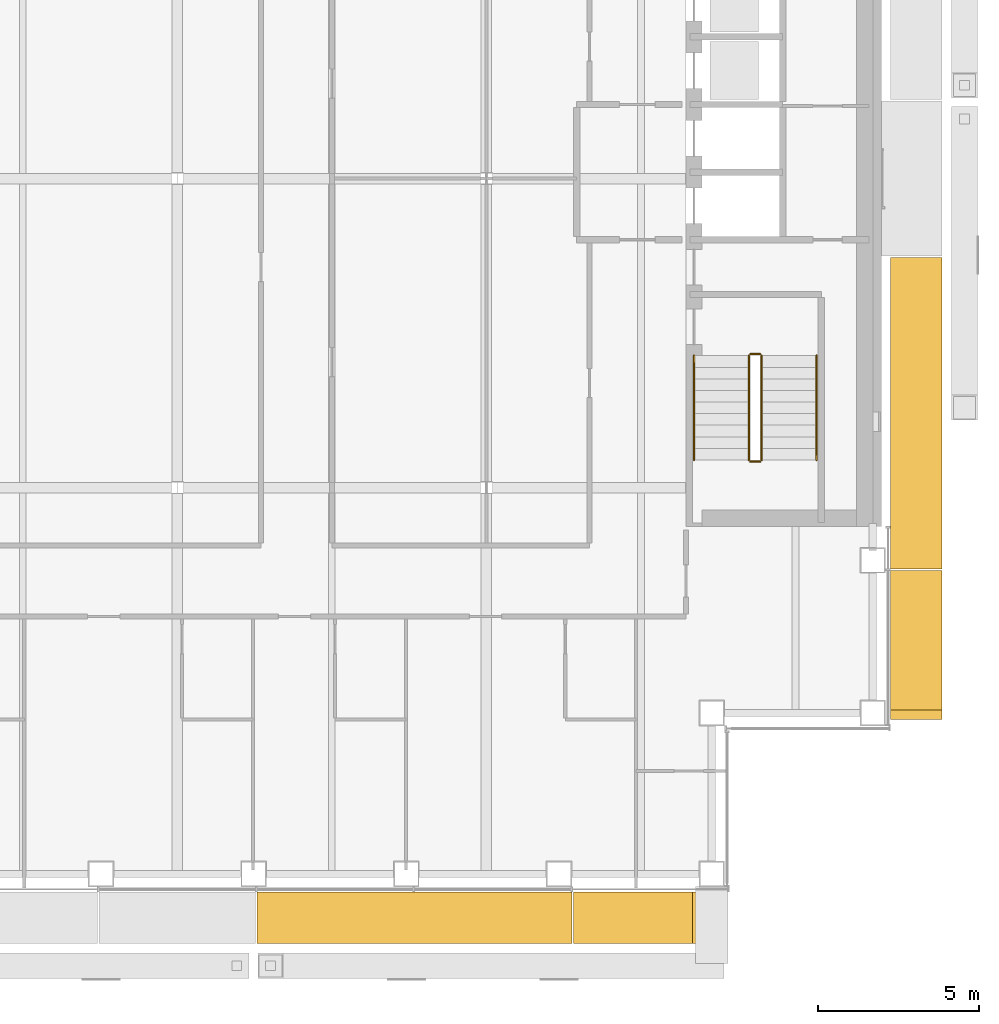
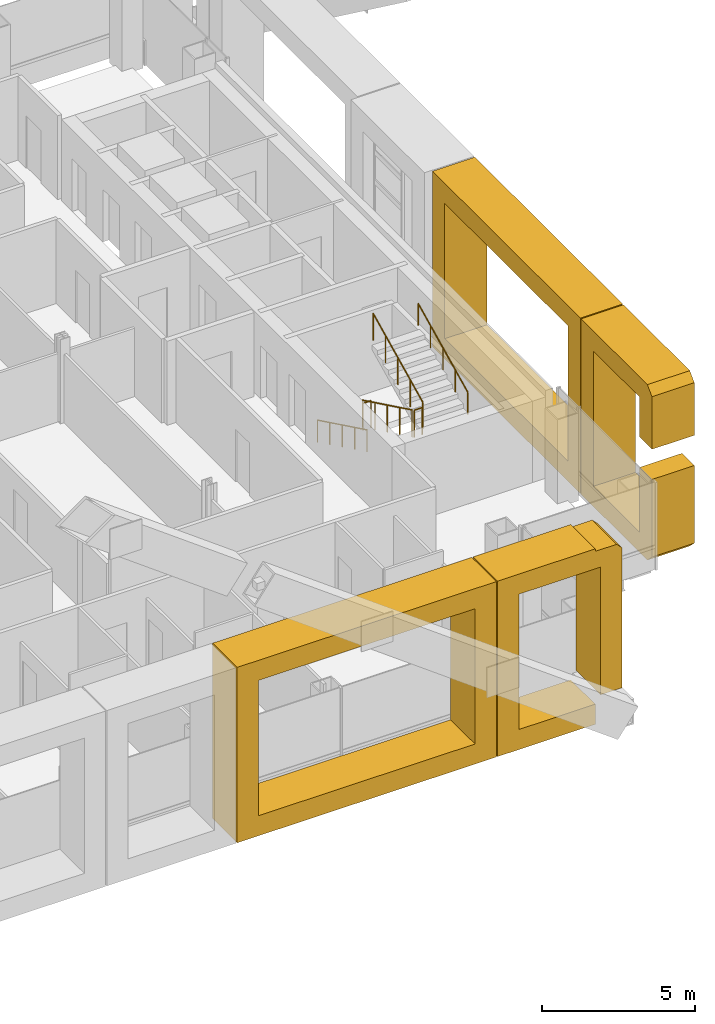
# One storey, part 19 of 22: 6 railings, 4 coverings.
"""IFC4 building model written with IfcOpenShell, lengths in metres."""

import ifcopenshell
import ifcopenshell.guid

model = None  # the IFC model being written
_history = None  # IfcOwnerHistory: only IFC2X3 demands one
_inside = {}  # id of a spatial element -> (the spatial element, [elements in it])
_under = {}  # id of a project, library or spatial element -> (it, [spatial elements below it])
_declared = {}  # id of a project -> (the project, [libraries it declares])
_typed = {}  # id of a type object -> (the type object, [elements of that type])
_made_of = {}  # id of a material, layer set ... -> (it, [elements and type objects made of it])


def new_model(schema):
    """Start an empty IFC model of exactly this schema.

    Asked for "IFC4X3", IfcOpenShell would pick the latest addendum, in which some entities
    have other attributes; the version numbers below select the first issue.
    IFC2X3 requires an IfcOwnerHistory on every rooted entity: one is made here for all.
    """
    global model, _history
    if schema == "IFC4X3":
        model = ifcopenshell.file(schema_version=(4, 3, 0, 0))
    else:
        model = ifcopenshell.file(schema=schema)
    _inside.clear()
    _under.clear()
    _declared.clear()
    _typed.clear()
    _made_of.clear()
    _history = None
    if model.schema == "IFC2X3":
        org = make("IfcOrganization", Name="unknown")
        user = make(
            "IfcPersonAndOrganization",
            ThePerson=make("IfcPerson", FamilyName="unknown"),
            TheOrganization=org,
        )
        app = make(
            "IfcApplication",
            ApplicationDeveloper=org,
            Version="unknown",
            ApplicationFullName="unknown",
            ApplicationIdentifier="unknown",
        )
        _history = make(
            "IfcOwnerHistory",
            OwningUser=user,
            OwningApplication=app,
            ChangeAction="ADDED",
            CreationDate=0,
        )
    return model


def make(cls, **values):
    """One entity of the class cls with the attributes given. An attribute that is None is left unset."""
    return model.create_entity(
        cls, **{name: value for name, value in values.items() if value is not None}
    )


def rooted(cls, **values):
    """An entity with a GlobalId (a new one), such as an element, a storey or a relation."""
    return make(cls, GlobalId=ifcopenshell.guid.new(), OwnerHistory=_history, **values)


def si_unit(unit_type, name, prefix=None):
    """IfcSIUnit, for example si_unit("LENGTHUNIT", "METRE", prefix="MILLI")."""
    return make("IfcSIUnit", UnitType=unit_type, Prefix=prefix, Name=name)


def assignment(units):
    """IfcUnitAssignment: the units of a project."""
    return None if units is None else make("IfcUnitAssignment", Units=units)


def point(xyz):
    """IfcCartesianPoint."""
    return None if xyz is None else make("IfcCartesianPoint", Coordinates=xyz)


def direction(xyz):
    """IfcDirection."""
    return None if xyz is None else make("IfcDirection", DirectionRatios=xyz)


def frame(location, z_axis=None, x_axis=None):
    """IfcAxis2Placement3D, a coordinate frame: its origin and axes. An axis left out is left unset."""
    return make(
        "IfcAxis2Placement3D",
        Location=point(location),
        Axis=direction(z_axis),
        RefDirection=direction(x_axis),
    )


def frame_2d(location, x_axis=None):
    """IfcAxis2Placement2D, a coordinate frame in the plane: its origin and x axis."""
    return make(
        "IfcAxis2Placement2D", Location=point(location), RefDirection=direction(x_axis)
    )


def origin():
    """The frame at (0, 0, 0) with its axes left unset."""
    return frame((0.0, 0.0, 0.0))


def origin_2d():
    """The frame at (0, 0) in the plane with its x axis left unset."""
    return frame_2d((0.0, 0.0))


def place(relative_to, where):
    """IfcLocalPlacement: puts the frame where relative to a parent placement (None: the world)."""
    return make(
        "IfcLocalPlacement", PlacementRelTo=relative_to, RelativePlacement=where
    )


def context(
    kind, dimensions, precision=None, world=None, true_north=None, identifier=None
):
    """IfcGeometricRepresentationContext, for example the 3D "Model" context."""
    return make(
        "IfcGeometricRepresentationContext",
        ContextIdentifier=identifier,
        ContextType=kind,
        CoordinateSpaceDimension=dimensions,
        Precision=precision,
        WorldCoordinateSystem=world,
        TrueNorth=true_north,
    )


def subcontext(parent, identifier, kind, view, scale=None):
    """IfcGeometricRepresentationSubContext, for example "Body" below "Model"."""
    return make(
        "IfcGeometricRepresentationSubContext",
        ContextIdentifier=identifier,
        ContextType=kind,
        ParentContext=parent,
        TargetScale=scale,
        TargetView=view,
    )


def project(units=None, contexts=None):
    """IfcProject with its units and contexts."""
    return rooted(
        "IfcProject",
        Name="project",
        RepresentationContexts=contexts,
        UnitsInContext=assignment(units),
    )


def spatial(cls, under=None, at=None, **own):
    """A site, building, storey or space (cls), placed at a placement, below another one or the project."""
    s = rooted(cls, ObjectPlacement=at, **own)
    if under is not None:
        _under.setdefault(under.id(), (under, []))[1].append(s)
    return s


def polyline(points):
    """IfcPolyline through the points."""
    return make("IfcPolyline", Points=[point(p) for p in points])


def profile(cls, at=None, kind="AREA", **sizes):
    """A parametric profile (cls). Its sizes go by their IFC names, for example OverallWidth=200.0."""
    return make(cls, ProfileType=kind, Position=at, **sizes)


def circle(**sizes):
    """IfcCircleProfileDef."""
    return profile("IfcCircleProfileDef", **sizes)


def outline(outer, holes=None, kind="AREA"):
    """IfcArbitraryClosedProfileDef: a profile drawn as a closed curve; with holes, ...WithVoids."""
    if holes is None:
        return make("IfcArbitraryClosedProfileDef", ProfileType=kind, OuterCurve=outer)
    return make(
        "IfcArbitraryProfileDefWithVoids",
        ProfileType=kind,
        OuterCurve=outer,
        InnerCurves=holes,
    )


def extrude(swept, where, along, depth):
    """IfcExtrudedAreaSolid: the profile swept, set in the frame where, extruded along a direction by depth."""
    return make(
        "IfcExtrudedAreaSolid",
        SweptArea=swept,
        Position=where,
        ExtrudedDirection=direction(along),
        Depth=depth,
    )


def shape(context_of_items, identifier, shape_type, items):
    """IfcShapeRepresentation: the items that make up one representation, for example the "Body"."""
    return make(
        "IfcShapeRepresentation",
        ContextOfItems=context_of_items,
        RepresentationIdentifier=identifier,
        RepresentationType=shape_type,
        Items=items,
    )


def material(Name=None, Category=None):
    """IfcMaterial."""
    return make("IfcMaterial", Name=Name, Category=Category)


def made_of(thing, what):
    """Note that an element or type object is made of a material, layer set ...; save() writes the relation."""
    if what is not None:
        _made_of.setdefault(what.id(), (what, []))[1].append(thing)
    return thing


def type_object(cls, material=None, **own):
    """A type object (cls), such as IfcWallType, which elements share."""
    return made_of(rooted(cls, **own), material)


def element(
    cls,
    number,
    at=None,
    inside=None,
    cuts=None,
    type_object=None,
    material=None,
    context=None,
    identifier="Body",
    shape_type=None,
    held_by="IfcProductDefinitionShape",
    body=None,
    shapes=None,
    **own,
):
    """One element of the class cls, such as IfcWall. Its Tag is "e" and its number.

    at: its placement. inside: the storey or other place that contains it. cuts: it is an
    opening in that element (IfcRelVoidsElement). A single representation is given by context,
    identifier, shape_type and body (its items); several are given by shapes. held_by: the class
    of the entity that holds the representations. save() writes the other relations.
    """
    e = rooted(cls, Tag="e%d" % number, ObjectPlacement=at, **own)
    if body is not None:
        shapes = [shape(context, identifier, shape_type, body)]
    if shapes is not None:
        e.Representation = make(held_by, Representations=shapes)
    if inside is not None:
        _inside.setdefault(inside.id(), (inside, []))[1].append(e)
    if cuts is not None:
        rooted(
            "IfcRelVoidsElement", RelatingBuildingElement=cuts, RelatedOpeningElement=e
        )
    if type_object is not None:
        _typed.setdefault(type_object.id(), (type_object, []))[1].append(e)
    return made_of(e, material)


def aggregate(whole, parts):
    """IfcRelAggregates: a whole, such as a stair, and the parts it consists of."""
    return rooted("IfcRelAggregates", RelatingObject=whole, RelatedObjects=parts)


def save(model, path):
    """Write the relations noted so far, then the file.

    IfcRelAggregates (storeys below a building ...), IfcRelContainedInSpatialStructure (elements
    in a storey), IfcRelDefinesByType, IfcRelAssociatesMaterial and IfcRelDeclares: one each for
    every whole, place, type object, material and project.
    """
    for whole, parts in _under.values():
        aggregate(whole, parts)
    for where, things in _inside.values():
        rooted(
            "IfcRelContainedInSpatialStructure",
            RelatedElements=things,
            RelatingStructure=where,
        )
    for kind, things in _typed.values():
        rooted("IfcRelDefinesByType", RelatedObjects=things, RelatingType=kind)
    for what, things in _made_of.values():
        rooted("IfcRelAssociatesMaterial", RelatedObjects=things, RelatingMaterial=what)
    for by, libraries in _declared.values():
        rooted("IfcRelDeclares", RelatingContext=by, RelatedDefinitions=libraries)
    model.write(path)


model = new_model("IFC4")

# Units and contexts
model_context = context("Model", 3, precision=1e-05, world=origin(), true_north=direction((0.0, 1.0)))
body_context = subcontext(model_context, "Body", "Model", "MODEL_VIEW")
ifc_project = project(units=[si_unit("LENGTHUNIT", "METRE"), si_unit("AREAUNIT", "SQUARE_METRE"), si_unit("VOLUMEUNIT", "CUBIC_METRE"), si_unit("PLANEANGLEUNIT", "RADIAN"), si_unit("MASSUNIT", "GRAM", prefix="KILO")], contexts=[model_context])

# Site, building, storey
site_placement = place(None, origin())
site = spatial("IfcSite", under=ifc_project, at=site_placement, CompositionType="ELEMENT")
building_placement = place(site_placement, origin())
building = spatial("IfcBuilding", under=site, at=building_placement, Name="Cobrizo Arcos Hotel Tower", CompositionType="ELEMENT")
storey_placement = place(building_placement, frame((0.0, 0.0, 155.0)))
storey = spatial("IfcBuildingStorey", under=building, at=storey_placement, Name="L39", CompositionType="ELEMENT", Elevation=155.0)

# Coverings
ifc_material_1 = material(Name="Aluminium 6063-T6 anodised bronze", Category="aluminium")
covering_type = type_object("IfcCoveringType", Name="FIN-F 1600", PredefinedType="CLADDING", material=ifc_material_1)
covering_1_placement = place(storey_placement, frame((22.14990234375, -16.800048828125, 0.0), z_axis=(1.0, 0.0, 0.0), x_axis=(0.0, 1.0, 0.0)))
element("IfcCovering", 1, at=covering_1_placement, inside=storey, type_object=covering_type, Name="Fin frame 206", PredefinedType="CLADDING", context=body_context, shape_type="SweptSolid", body=[
    extrude(outline(polyline([(0.0, 6.699951171875), (0.0, 4.60205078125), (0.800048828125, 4.60205078125), (0.800048828125, 6.199951171875), (3.83203125, 6.199951171875), (3.83203125, 0.800048828125), (0.800048828125, 0.800048828125), (0.800048828125, 3.39794921875), (0.0, 3.39794921875), (0.0, 0.300048828125), (0.300048828125, 0.0), (4.632080078125, 0.0), (4.632080078125, 7.0), (0.300048828125, 7.0), (0.0, 6.699951171875)])), origin(), (0.0, 0.0, 1.0), 1.60009765625),
])
covering_2_placement = place(storey_placement, frame((22.14990234375, -12.117919921875, 0.0), z_axis=(1.0, 0.0, 0.0), x_axis=(0.0, 1.0, 0.0)))
element("IfcCovering", 2, at=covering_2_placement, inside=storey, type_object=covering_type, Name="Fin frame 207", PredefinedType="CLADDING", context=body_context, shape_type="SweptSolid", body=[
    extrude(outline(polyline([(0.0, 7.0), (0.0, 0.0), (9.664306640625, 0.0), (9.664306640625, 7.0), (0.0, 7.0)]), holes=[polyline([(8.8642578125, 0.800048828125), (0.800048828125, 0.800048828125), (0.800048828125, 6.199951171875), (8.8642578125, 6.199951171875), (8.8642578125, 0.800048828125)])]), origin(), (0.0, 0.0, 1.0), 1.60009765625),
])
covering_3_placement = place(storey_placement, frame((2.482177734375, -22.14990234375, 0.0), z_axis=(0.0, -1.0, 0.0), x_axis=(1.0, 0.0, 0.0)))
element("IfcCovering", 3, at=covering_3_placement, inside=storey, type_object=covering_type, Name="Fin frame 239", PredefinedType="CLADDING", context=body_context, shape_type="SweptSolid", body=[
    extrude(outline(polyline([(0.0, 7.0), (0.0, 0.0), (9.778564453125, 0.0), (9.778564453125, 7.0), (0.0, 7.0)]), holes=[polyline([(8.978515625, 0.800048828125), (0.800048828125, 0.800048828125), (0.800048828125, 6.199951171875), (8.978515625, 6.199951171875), (8.978515625, 0.800048828125)])]), origin(), (0.0, 0.0, 1.0), 1.60009765625),
])
covering_4_placement = place(storey_placement, frame((12.310791015625, -22.14990234375, 0.0), z_axis=(0.0, -1.0, 0.0), x_axis=(1.0, 0.0, 0.0)))
element("IfcCovering", 4, at=covering_4_placement, inside=storey, type_object=covering_type, Name="Fin frame 240", PredefinedType="CLADDING", context=body_context, shape_type="SweptSolid", body=[
    extrude(outline(polyline([(0.0, 0.0), (3.687255859375, 0.0), (3.687255859375, 0.800048828125), (0.800048828125, 0.800048828125), (0.800048828125, 6.199951171875), (3.889404296875, 6.199951171875), (3.889404296875, 1.10205078125), (4.689208984375, 1.10205078125), (4.689208984375, 6.699951171875), (4.4912109375, 6.89794921875), (3.687255859375, 6.89794921875), (3.687255859375, 7.0), (0.0, 7.0), (0.0, 0.0)])), origin(), (0.0, 0.0, 1.0), 1.60009765625),
])

# Railings
ifc_material_2 = material(Name="Stainless steel railing", Category="steel")
railing_type_1 = type_object("IfcRailingType", Name="Stair guard 1100", PredefinedType="GUARDRAIL", material=ifc_material_2)
railing_1_placement = place(storey_placement, frame((17.75, -5.5, 0.175048828125)))
element("IfcRailing", 5, at=railing_1_placement, inside=storey, type_object=railing_type_1, Name="L39 ST-E stair guard 1", PredefinedType="GUARDRAIL", context=body_context, shape_type="SweptSolid", body=[
    extrude(circle(Radius=0.02392578125, at=origin_2d()), frame((0.0, 0.0, 1.076171875), z_axis=(0.0, -0.899372665325, 0.437182809435), x_axis=(1.0, 0.0, 0.0)), (0.0, 0.0, 1.0), 3.6025390625),
    extrude(circle(Radius=0.02099609375, at=origin_2d()), origin(), (0.0, 0.0, 1.0), 1.052001953125),
    extrude(circle(Radius=0.02099609375, at=origin_2d()), frame((0.0, -0.81005859375, 0.393798828125)), (0.0, 0.0, 1.0), 1.052001953125),
    extrude(circle(Radius=0.02099609375, at=origin_2d()), frame((0.0, -1.6201171875, 0.78759765625)), (0.0, 0.0, 1.0), 1.052001953125),
    extrude(circle(Radius=0.02099609375, at=origin_2d()), frame((0.0, -2.429931640625, 1.18115234375)), (0.0, 0.0, 1.0), 1.052001953125),
    extrude(circle(Radius=0.02099609375, at=origin_2d()), frame((0.0, -3.239990234375, 1.574951171875)), (0.0, 0.0, 1.0), 1.052001953125),
])
railing_2_placement = place(storey_placement, frame((17.800048828125, -8.7900390625, 1.75)))
element("IfcRailing", 6, at=railing_2_placement, inside=storey, type_object=railing_type_1, Name="L39 ST-E stair guard 2", PredefinedType="GUARDRAIL", context=body_context, shape_type="SweptSolid", body=[
    extrude(circle(Radius=0.02392578125, at=origin_2d()), frame((0.0, 0.0, 1.076171875), z_axis=(1.0, 0.0, 0.0), x_axis=(0.0, 1.0, 0.0)), (0.0, 0.0, 1.0), 0.300048828125),
    extrude(circle(Radius=0.02099609375, at=origin_2d()), origin(), (0.0, 0.0, 1.0), 1.052001953125),
    extrude(circle(Radius=0.02099609375, at=origin_2d()), frame((0.300048828125, 0.0, 0.0)), (0.0, 0.0, 1.0), 1.052001953125),
])
railing_3_placement = place(storey_placement, frame((18.14990234375, -8.739990234375, 1.925048828125)))
element("IfcRailing", 7, at=railing_3_placement, inside=storey, type_object=railing_type_1, Name="L39 ST-E stair guard 3", PredefinedType="GUARDRAIL", context=body_context, shape_type="SweptSolid", body=[
    extrude(circle(Radius=0.02392578125, at=origin_2d()), frame((0.0, 0.0, 1.076171875), z_axis=(0.0, 0.899372665325, 0.437182809435), x_axis=(-1.0, 0.0, 0.0)), (0.0, 0.0, 1.0), 3.6025390625),
    extrude(circle(Radius=0.02099609375, at=origin_2d()), origin(), (0.0, 0.0, 1.0), 1.052001953125),
    extrude(circle(Radius=0.02099609375, at=origin_2d()), frame((0.0, 0.81005859375, 0.393798828125)), (0.0, 0.0, 1.0), 1.052001953125),
    extrude(circle(Radius=0.02099609375, at=origin_2d()), frame((0.0, 1.6201171875, 0.78759765625)), (0.0, 0.0, 1.0), 1.052001953125),
    extrude(circle(Radius=0.02099609375, at=origin_2d()), frame((0.0, 2.429931640625, 1.18115234375)), (0.0, 0.0, 1.0), 1.052001953125),
    extrude(circle(Radius=0.02099609375, at=origin_2d()), frame((0.0, 3.239990234375, 1.574951171875)), (0.0, 0.0, 1.0), 1.052001953125),
])
railing_4_placement = place(storey_placement, frame((17.800048828125, -5.449951171875, 0.0)))
element("IfcRailing", 8, at=railing_4_placement, inside=storey, type_object=railing_type_1, Name="L39 ST-E stair guard 4", PredefinedType="GUARDRAIL", context=body_context, shape_type="SweptSolid", body=[
    extrude(circle(Radius=0.02392578125, at=origin_2d()), frame((0.0, 0.0, 1.076171875), z_axis=(1.0, 0.0, 0.0), x_axis=(0.0, 1.0, 0.0)), (0.0, 0.0, 1.0), 0.300048828125),
    extrude(circle(Radius=0.02099609375, at=origin_2d()), origin(), (0.0, 0.0, 1.0), 1.052001953125),
    extrude(circle(Radius=0.02099609375, at=origin_2d()), frame((0.300048828125, 0.0, 0.0)), (0.0, 0.0, 1.0), 1.052001953125),
])
railing_type_2 = type_object("IfcRailingType", Name="Stair handrail", PredefinedType="HANDRAIL", material=ifc_material_2)
railing_5_placement = place(storey_placement, frame((16.050048828125, -5.5, 0.175048828125)))
element("IfcRailing", 9, at=railing_5_placement, inside=storey, type_object=railing_type_2, Name="L39 ST-E stair handrail 1", PredefinedType="HANDRAIL", context=body_context, shape_type="SweptSolid", body=[
    extrude(circle(Radius=0.02392578125, at=origin_2d()), frame((0.0, 0.0, 0.8759765625), z_axis=(0.0, -0.899372665325, 0.437182809435), x_axis=(1.0, 0.0, 0.0)), (0.0, 0.0, 1.0), 3.6025390625),
    extrude(circle(Radius=0.02099609375, at=origin_2d()), origin(), (0.0, 0.0, 1.0), 0.851806640625),
    extrude(circle(Radius=0.02099609375, at=origin_2d()), frame((0.0, -0.81005859375, 0.393798828125)), (0.0, 0.0, 1.0), 0.851806640625),
    extrude(circle(Radius=0.02099609375, at=origin_2d()), frame((0.0, -1.6201171875, 0.78759765625)), (0.0, 0.0, 1.0), 0.851806640625),
    extrude(circle(Radius=0.02099609375, at=origin_2d()), frame((0.0, -2.429931640625, 1.18115234375)), (0.0, 0.0, 1.0), 0.851806640625),
    extrude(circle(Radius=0.02099609375, at=origin_2d()), frame((0.0, -3.239990234375, 1.574951171875)), (0.0, 0.0, 1.0), 0.851806640625),
])
railing_6_placement = place(storey_placement, frame((19.85009765625, -8.739990234375, 1.925048828125)))
element("IfcRailing", 10, at=railing_6_placement, inside=storey, type_object=railing_type_2, Name="L39 ST-E stair handrail 2", PredefinedType="HANDRAIL", context=body_context, shape_type="SweptSolid", body=[
    extrude(circle(Radius=0.02392578125, at=origin_2d()), frame((0.0, 0.0, 0.8759765625), z_axis=(0.0, 0.899372665325, 0.437182809435), x_axis=(-1.0, 0.0, 0.0)), (0.0, 0.0, 1.0), 3.6025390625),
    extrude(circle(Radius=0.02099609375, at=origin_2d()), origin(), (0.0, 0.0, 1.0), 0.851806640625),
    extrude(circle(Radius=0.02099609375, at=origin_2d()), frame((0.0, 0.81005859375, 0.393798828125)), (0.0, 0.0, 1.0), 0.851806640625),
    extrude(circle(Radius=0.02099609375, at=origin_2d()), frame((0.0, 1.6201171875, 0.78759765625)), (0.0, 0.0, 1.0), 0.851806640625),
    extrude(circle(Radius=0.02099609375, at=origin_2d()), frame((0.0, 2.429931640625, 1.18115234375)), (0.0, 0.0, 1.0), 0.851806640625),
    extrude(circle(Radius=0.02099609375, at=origin_2d()), frame((0.0, 3.239990234375, 1.574951171875)), (0.0, 0.0, 1.0), 0.851806640625),
])

save(model, "model.ifc")
